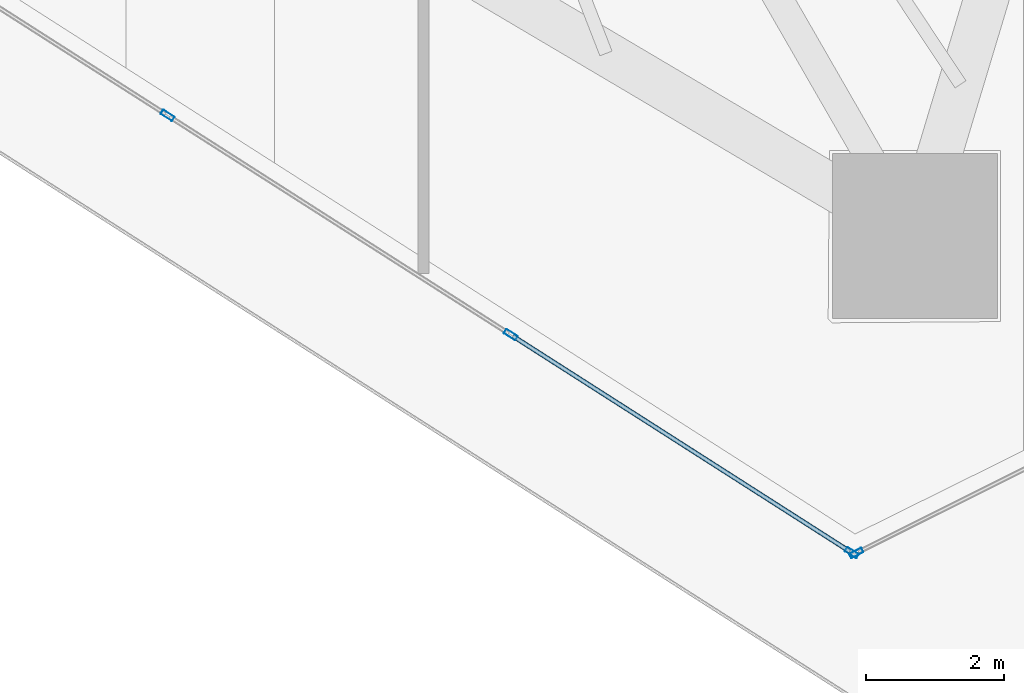
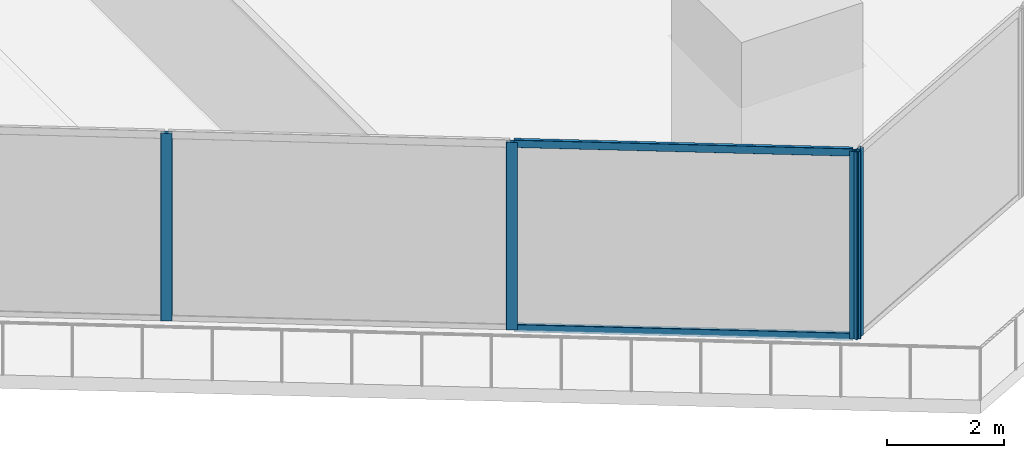
# One storey, part 7 of 47: 6 members, 2 elements without a shape of their own.
"""IFC4 building model written with IfcOpenShell, lengths in metres."""

from ifc_helpers import new_model, si_unit, direction, frame, origin, origin_2d, place, context, subcontext, project, spatial, hollow_rectangle, extrude, material, layer, layer_set, material_profile, profile_set, type_object, element, aggregate, save


model = new_model("IFC4")

# Units and contexts
model_context = context("Model", 3, precision=1e-05, world=origin(), true_north=direction((0.0, 1.0)))
body_context = subcontext(model_context, "Body", "Model", "MODEL_VIEW")
ifc_project = project(units=[si_unit("LENGTHUNIT", "METRE"), si_unit("AREAUNIT", "SQUARE_METRE"), si_unit("VOLUMEUNIT", "CUBIC_METRE"), si_unit("PLANEANGLEUNIT", "RADIAN"), si_unit("MASSUNIT", "GRAM", prefix="KILO")], contexts=[model_context])

# Site, building, storey
site_placement = place(None, origin())
site = spatial("IfcSite", under=ifc_project, at=site_placement, CompositionType="ELEMENT")
building_placement = place(site_placement, origin())
building = spatial("IfcBuilding", under=site, at=building_placement, Name="Qorvath Tower", CompositionType="ELEMENT")
storey_placement = place(building_placement, frame((0.0, 0.0, 82.800048828125)))
storey = spatial("IfcBuildingStorey", under=building, at=storey_placement, Name="L18", CompositionType="ELEMENT", Elevation=82.800048828125)

# Curtain wall, members
ifc_material_1 = material(Name="Anodised aluminium and triple low-E glass", Category="aluminium")
ifc_layer = layer(ifc_material_1, 0.179931640625)
ifc_layer_set = layer_set([ifc_layer], Name="CW-SYS-5")
curtain_wall_type = type_object("IfcCurtainWallType", Name="CW-SYS-5", PredefinedType="NOTDEFINED", material=ifc_layer_set)
curtain_wall_1_placement = place(storey_placement, origin())
curtain_wall_1 = element("IfcCurtainWall", 1, at=curtain_wall_1_placement, inside=storey, type_object=curtain_wall_type, Name="Curtain Wall CW-5 CW-T-L18-6.2", PredefinedType="NOTDEFINED")
ifc_material_2 = material(Name="Anodised aluminium 6063-T6", Category="aluminium")
ifc_material_profile_1 = material_profile(ifc_material_2, hollow_rectangle(XDim=0.074951171875, YDim=0.199951171875, WallThickness=0.00390625, InnerFilletRadius=0.00390625, OuterFilletRadius=0.008056640625, at=origin_2d()), Name="CWM 200x75")
ifc_profile_set_1 = profile_set([ifc_material_profile_1], Name="Anodised aluminium 6063-T6")
member_type_1 = type_object("IfcMemberType", Name="CWM-200", PredefinedType="MULLION", material=ifc_profile_set_1)
member_1_placement = place(storey_placement, frame((-25.326416015625, -25.576171875, 0.0), z_axis=(0.0, 0.0, 1.0), x_axis=(0.538533449676, 0.842604132188, 0.0)))
member_1 = element("IfcMember", 2, at=member_1_placement, type_object=member_type_1, Name="CW-5 mullion 3", PredefinedType="MULLION", context=body_context, shape_type="SweptSolid", body=[
    extrude(hollow_rectangle(XDim=0.074951171875, YDim=0.199951171875, WallThickness=0.00390625, InnerFilletRadius=0.00390625, OuterFilletRadius=0.008056640625, at=origin_2d()), origin(), (0.0, 0.0, 1.0), 3.919921875),
])
member_2_placement = place(storey_placement, frame((-20.337646484375, -28.7646484375, 0.0), z_axis=(0.0, 0.0, 1.0), x_axis=(0.538533449676, 0.842604132188, 0.0)))
member_2 = element("IfcMember", 3, at=member_2_placement, type_object=member_type_1, Name="CW-5 mullion 4", PredefinedType="MULLION", context=body_context, shape_type="SweptSolid", body=[
    extrude(hollow_rectangle(XDim=0.074951171875, YDim=0.199951171875, WallThickness=0.00390625, InnerFilletRadius=0.00390625, OuterFilletRadius=0.008056640625, at=origin_2d()), origin(), (0.0, 0.0, 1.0), 3.919921875),
])
member_3_placement = place(storey_placement, frame((-15.380615234375, -31.932861328125, 0.0), z_axis=(0.0, 0.0, 1.0), x_axis=(0.538533449676, 0.842604132188, 0.0)))
member_3 = element("IfcMember", 4, at=member_3_placement, type_object=member_type_1, Name="CW-5 mullion 5", PredefinedType="MULLION", context=body_context, shape_type="SweptSolid", body=[
    extrude(hollow_rectangle(XDim=0.074951171875, YDim=0.199951171875, WallThickness=0.00390625, InnerFilletRadius=0.00390625, OuterFilletRadius=0.008056640625, at=origin_2d()), origin(), (0.0, 0.0, 1.0), 3.919921875),
])

# Curtain wall, member
curtain_wall_2_placement = place(storey_placement, origin())
curtain_wall_2 = element("IfcCurtainWall", 5, at=curtain_wall_2_placement, inside=storey, type_object=curtain_wall_type, Name="Curtain Wall CW-5 CW-T-L18-7.1", PredefinedType="NOTDEFINED")
member_4_placement = place(storey_placement, frame((-15.3154296875, -31.936279296875, 0.0), z_axis=(0.0, 0.0, 1.0), x_axis=(-0.447190081713, 0.894438947507, 0.0)))
member_4 = element("IfcMember", 6, at=member_4_placement, type_object=member_type_1, Name="CW-5 mullion 1", PredefinedType="MULLION", context=body_context, shape_type="SweptSolid", body=[
    extrude(hollow_rectangle(XDim=0.074951171875, YDim=0.199951171875, WallThickness=0.00390625, InnerFilletRadius=0.00390625, OuterFilletRadius=0.008056640625, at=origin_2d()), origin(), (0.0, 0.0, 1.0), 3.919921875),
])
aggregate(curtain_wall_2, [member_4])

# Member
ifc_material_3 = material(Name="Anodised aluminium 6063-T6", Category="aluminium")
ifc_material_profile_2 = material_profile(ifc_material_3, hollow_rectangle(XDim=0.06494140625, YDim=0.159912109375, WallThickness=0.00341796875, InnerFilletRadius=0.00341796875, OuterFilletRadius=0.007080078125, at=origin_2d()), Name="CWT 160x65")
ifc_profile_set_2 = profile_set([ifc_material_profile_2], Name="Anodised aluminium 6063-T6")
member_type_2 = type_object("IfcMemberType", Name="CWT-160", PredefinedType="USERDEFINED", material=ifc_profile_set_2)
member_5_placement = place(storey_placement, frame((-20.30615234375, -28.784912109375, 0.032470703125), z_axis=(0.842623146601, -0.538503698049, 0.0), x_axis=(0.538503698049, 0.842623146601, 0.0)))
member_5 = element("IfcMember", 7, at=member_5_placement, type_object=member_type_2, Name="CW-5 transom 4.1", ObjectType="TRANSOM", PredefinedType="USERDEFINED", context=body_context, shape_type="SweptSolid", body=[
    extrude(hollow_rectangle(XDim=0.06494140625, YDim=0.159912109375, WallThickness=0.00341796875, InnerFilletRadius=0.00341796875, OuterFilletRadius=0.007080078125, at=origin_2d()), origin(), (0.0, 0.0, 1.0), 5.80810546875),
])

member_6_placement = place(storey_placement, frame((-20.30615234375, -28.784912109375, 3.887451171875), z_axis=(0.842623146601, -0.538503698049, 0.0), x_axis=(0.538503698049, 0.842623146601, 0.0)))
member_6 = element("IfcMember", 8, at=member_6_placement, type_object=member_type_2, Name="CW-5 transom 4.2", ObjectType="TRANSOM", PredefinedType="USERDEFINED", context=body_context, shape_type="SweptSolid", body=[
    extrude(hollow_rectangle(XDim=0.06494140625, YDim=0.159912109375, WallThickness=0.00341796875, InnerFilletRadius=0.00341796875, OuterFilletRadius=0.007080078125, at=origin_2d()), origin(), (0.0, 0.0, 1.0), 5.80810546875),
])

aggregate(curtain_wall_1, [member_1, member_2, member_3, member_5, member_6])

save(model, "model.ifc")
